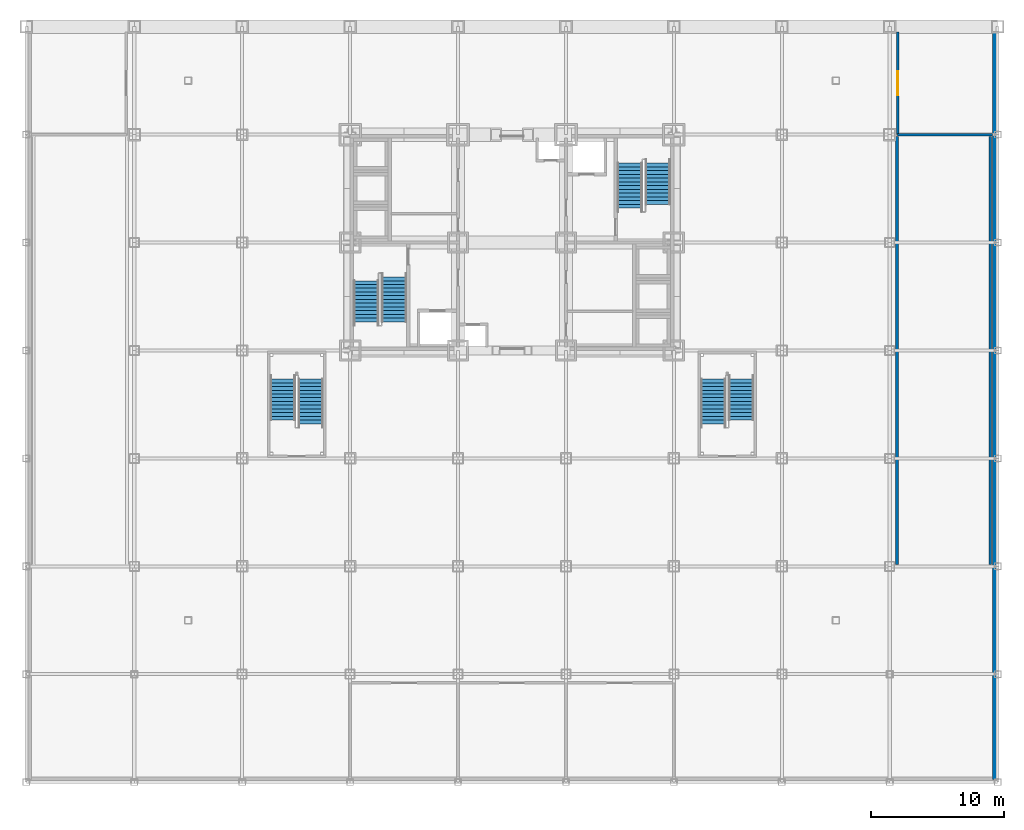
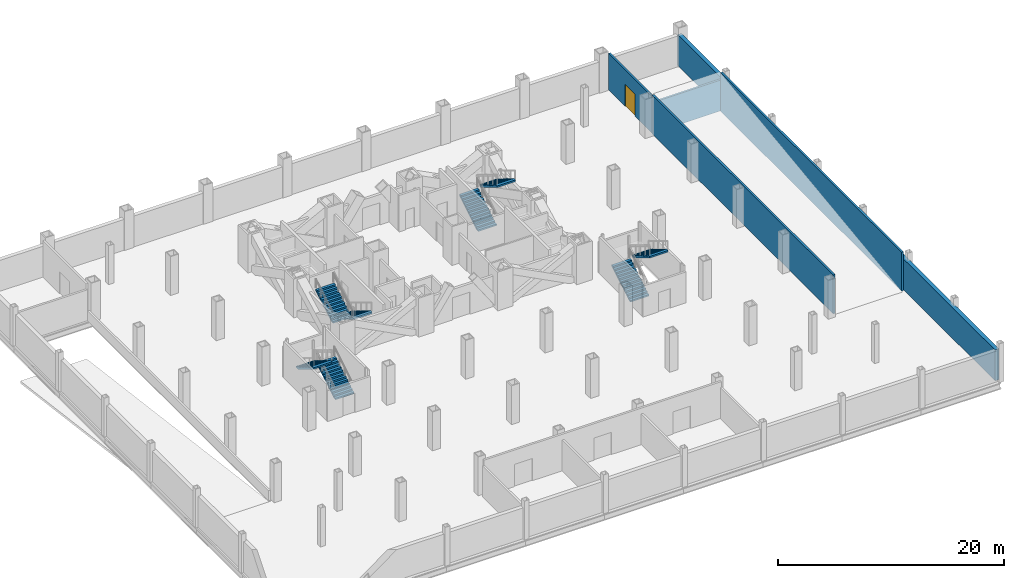
# One storey, part 13 of 14: 8 stair flights, 5 walls, 1 door, 1 opening, 4 elements without a shape of their own.
"""IFC4 building model written with IfcOpenShell, lengths in metres."""

from ifc_helpers import new_model, si_unit, direction, frame, frame_2d, origin, place, context, subcontext, project, spatial, rectangle, extrude, polygons, source, transform, mapped, material, layer, layer_set, type_object, element, fill, aggregate, save


model = new_model("IFC4")

# Units and contexts
model_context = context("Model", 3, precision=1e-05, world=origin(), true_north=direction((0.0, 1.0)))
body_context = subcontext(model_context, "Body", "Model", "MODEL_VIEW")
ifc_project = project(units=[si_unit("LENGTHUNIT", "METRE"), si_unit("AREAUNIT", "SQUARE_METRE"), si_unit("VOLUMEUNIT", "CUBIC_METRE"), si_unit("PLANEANGLEUNIT", "RADIAN"), si_unit("MASSUNIT", "GRAM", prefix="KILO")], contexts=[model_context])

# Site, building, storey
site_placement = place(None, origin())
site = spatial("IfcSite", under=ifc_project, at=site_placement, CompositionType="ELEMENT")
building_placement = place(site_placement, origin())
building = spatial("IfcBuilding", under=site, at=building_placement, Name="Kopane Lantern Tower", CompositionType="ELEMENT")
storey_placement = place(building_placement, frame((0.0, 0.0, -4.199951171875)))
storey = spatial("IfcBuildingStorey", under=building, at=storey_placement, Name="L-01", CompositionType="ELEMENT", Elevation=-4.199951171875)

# Walls
ifc_material_1 = material(Name="Concrete C40/50", Category="concrete")
ifc_layer_1 = layer(ifc_material_1, 0.39990234375)
ifc_layer_set_1 = layer_set([ifc_layer_1], Name="BASEMENT RETAINING WALL 400")
wall_type_1 = type_object("IfcWallType", Name="BASEMENT RETAINING WALL 400", PredefinedType="SOLIDWALL", material=ifc_layer_set_1)
wall_1_placement = place(storey_placement, frame((64.60009765625, -7.89990234375, 0.0), z_axis=(0.0, 0.0, 1.0), x_axis=(0.0, 1.0, 0.0)))
element("IfcWall", 1, at=wall_1_placement, inside=storey, type_object=wall_type_1, Name="Basement Retaining Wall 400 L-01", PredefinedType="SOLIDWALL", context=body_context, shape_type="SweptSolid", body=[
    extrude(rectangle(XDim=56.2998046875, YDim=0.39990234375, at=frame_2d((28.14990234375, 0.0))), origin(), (0.0, 0.0, 1.0), 3.337646484375),
])
ifc_material_2 = material(Name="Concrete masonry", Category="masonry")
ifc_layer_2 = layer(ifc_material_2, 0.199951171875)
ifc_layer_set_2 = layer_set([ifc_layer_2], Name="PLANT ROOM WALL 200 EI 120")
wall_type_2 = type_object("IfcWallType", Name="PLANT ROOM WALL 200 EI 120", PredefinedType="SOLIDWALL", material=ifc_layer_set_2)
wall_2_placement = place(storey_placement, frame((57.300048828125, 40.5, 0.0), z_axis=(0.0, 0.0, 1.0), x_axis=(1.0, 0.0, 0.0)))
element("IfcWall", 2, at=wall_2_placement, inside=storey, type_object=wall_type_2, Name="Plant Room Wall 200 Ei 120 L-01", PredefinedType="SOLIDWALL", context=body_context, shape_type="SweptSolid", body=[
    extrude(rectangle(XDim=7.099853515625, YDim=0.199951171875, at=frame_2d((3.5498046875, 0.0))), origin(), (0.0, 0.0, 1.0), 3.337646484375),
])

# Wall, opening, door
wall_3_placement = place(storey_placement, frame((57.300048828125, 40.5, 0.0), z_axis=(0.0, 0.0, 1.0), x_axis=(0.0, 1.0, 0.0)))
wall_3 = element("IfcWall", 3, at=wall_3_placement, inside=storey, type_object=wall_type_2, Name="Plant Room Wall 200 Ei 120 L-01", PredefinedType="SOLIDWALL", context=body_context, shape_type="SweptSolid", body=[
    extrude(rectangle(XDim=7.699951171875, YDim=0.199951171875, at=frame_2d((3.85009765625, 0.0))), origin(), (0.0, 0.0, 1.0), 3.949951171875),
])
opening_placement = place(wall_3_placement, frame((2.949951171875, 0.0, 0.0)))
opening = element("IfcOpeningElement", 4, at=opening_placement, cuts=wall_3, Name="Opening L-01-005", PredefinedType="OPENING", context=body_context, shape_type="SweptSolid", body=[
    extrude(rectangle(XDim=1.800048828125, YDim=2.39990234375, at=frame_2d((0.89990234375, 1.199951171875))), frame((0.0, 0.10986328125, 0.0), z_axis=(0.0, -1.0, 0.0), x_axis=(1.0, 0.0, 0.0)), (0.0, 0.0, 1.0), 0.219970703125),
])
ifc_material_3 = material(Name="Steel door set", Category="steel")
door_type = type_object("IfcDoorType", Name="DOOR D8 1800x2400 FD120", OperationType="SINGLE_SWING_LEFT", PredefinedType="DOOR", material=ifc_material_3)
door_placement = place(opening_placement, origin())
door = element("IfcDoor", 5, at=door_placement, inside=storey, type_object=door_type, Name="Door L-01-005", OperationType="DOUBLE_DOOR_SINGLE_SWING", OverallHeight=2.39990234375, OverallWidth=1.800048828125, PredefinedType="DOOR", context=body_context, shape_type="SweptSolid", body=[
    extrude(rectangle(XDim=1.800048828125, YDim=2.39990234375, at=frame_2d((0.89990234375, 1.199951171875))), frame((0.0, 0.02490234375, 0.0), z_axis=(0.0, -1.0, 0.0), x_axis=(1.0, 0.0, 0.0)), (0.0, 0.0, 1.0), 0.050048828125),
])
fill(opening, door)

# Walls
ifc_material_4 = material(Name="Concrete C40/50", Category="concrete")
ifc_layer_3 = layer(ifc_material_4, 0.199951171875)
ifc_layer_set_3 = layer_set([ifc_layer_3], Name="Concrete C40/50")
wall_type_3 = type_object("IfcWallType", Name="RAMP SIDE WALL 200", PredefinedType="PARTITIONING", material=ifc_layer_set_3)
for number, where, z_axis, x_axis, name in (
    (6, (64.25, 8.25, 0.0), (0.0, 0.0, 1.0), (0.0, 1.0, 0.0), "Ramp side wall L00 L-01"),
    (7, (57.25, 8.25, 0.0), (0.0, 0.0, 1.0), (0.0, 1.0, 0.0), "Ramp side wall L00 L-01"),
):
    element("IfcWall", number, at=place(storey_placement, frame(where, z_axis=z_axis, x_axis=x_axis)), inside=storey, type_object=wall_type_3, Name=name, PredefinedType="PARTITIONING", context=body_context, shape_type="SweptSolid", body=[
        extrude(rectangle(XDim=32.10009765625, YDim=0.199951171875, at=frame_2d((16.050048828125, 0.0))), origin(), (0.0, 0.0, 1.0), 4.199951171875),
    ])

# Stair, stair flight
ifc_material_5 = material(Name="Steel S355JR", Category="steel")
stair_type = type_object("IfcStairType", Name="EXIT STAIR 1900 HALF TURN", PredefinedType="HALF_TURN_STAIR", material=ifc_material_5)
stair_1_placement = place(storey_placement, origin())
stair_1 = element("IfcStair", 8, at=stair_1_placement, inside=storey, type_object=stair_type, Name="Exit stair ST1 L-01", PredefinedType="HALF_TURN_STAIR")
ifc_material_6 = material(Name="Steel S355JR", Category="steel")
stair_flight_type = type_object("IfcStairFlightType", Name="STAIR FLIGHT 1900 STEEL", PredefinedType="STRAIGHT", material=ifc_material_6)
shared_shape_1 = source(origin(), body_context, "Body", "Tessellation", [
    polygons([(3.360107422, 0.949951172, 2.016113281), (3.080078125, 0.949951172, 2.016113281), (3.080078125, -0.949951172, 2.016113281), (3.360107422, -0.949951172, 2.016113281), (0.291259766, 0.949951172, 0.0), (3.360107422, 0.949951172, 1.841064453), (3.360107422, -0.949951172, 1.841064453), (0.291259766, -0.949951172, 0.0), (0.0, 0.949951172, 0.0), (0.0, -0.949951172, 0.0), (0.280029297, 0.949951172, 0.16796875), (0.0, 0.949951172, 0.16796875), (0.0, -0.949951172, 0.16796875), (0.280029297, -0.949951172, 0.16796875), (0.280029297, 0.949951172, 0.3359375), (0.280029297, -0.949951172, 0.3359375), (0.560058594, 0.949951172, 0.3359375), (0.560058594, -0.949951172, 0.3359375), (0.560058594, 0.949951172, 0.50390625), (0.560058594, -0.949951172, 0.50390625), (0.840087891, 0.949951172, 0.50390625), (0.840087891, -0.949951172, 0.50390625), (0.840087891, 0.949951172, 0.672119141), (0.840087891, -0.949951172, 0.672119141), (1.120117188, 0.949951172, 0.672119141), (1.120117188, -0.949951172, 0.672119141), (1.120117188, 0.949951172, 0.840087891), (1.120117188, -0.949951172, 0.840087891), (1.399902344, 0.949951172, 0.840087891), (1.399902344, -0.949951172, 0.840087891), (1.399902344, 0.949951172, 1.008056641), (1.399902344, -0.949951172, 1.008056641), (1.679931641, 0.949951172, 1.008056641), (1.679931641, -0.949951172, 1.008056641), (1.679931641, 0.949951172, 1.176025391), (1.679931641, -0.949951172, 1.176025391), (1.959960938, 0.949951172, 1.176025391), (1.959960938, -0.949951172, 1.176025391), (1.959960938, 0.949951172, 1.343994141), (1.959960938, -0.949951172, 1.343994141), (2.239990234, 0.949951172, 1.343994141), (2.239990234, -0.949951172, 1.343994141), (2.239990234, 0.949951172, 1.511962891), (2.239990234, -0.949951172, 1.511962891), (2.520019531, 0.949951172, 1.511962891), (2.520019531, -0.949951172, 1.511962891), (2.520019531, 0.949951172, 1.679931641), (2.520019531, -0.949951172, 1.679931641), (2.800048828, 0.949951172, 1.679931641), (2.800048828, -0.949951172, 1.679931641), (2.800048828, 0.949951172, 1.847900391), (2.800048828, -0.949951172, 1.847900391), (3.080078125, 0.949951172, 1.847900391), (3.080078125, -0.949951172, 1.847900391), (0.0, 0.0, 0.004539696), (0.0, 0.0, 0.009079392), (0.0, 0.0, 0.013619088), (0.0, 0.0, 0.018158784), (0.0, 0.0, 0.02269848), (0.0, 0.0, 0.027238176), (0.0, 0.0, 0.031777872), (0.0, 0.0, 0.036317568), (0.0, 0.0, 0.040857264), (0.0, 0.0, 0.045396959), (0.0, 0.0, 0.049936655), (0.0, 0.0, 0.054476351), (0.0, 0.0, 0.059016047), (0.0, 0.0, 0.063555743), (0.0, 0.0, 0.068095439), (0.0, 0.0, 0.072635135), (0.0, 0.0, 0.077174831), (0.0, 0.0, 0.081714527), (0.0, 0.0, 0.086254223), (0.0, 0.0, 0.090793919), (0.0, 0.0, 0.095333615), (0.0, 0.0, 0.099873311), (0.0, 0.0, 0.104413007), (0.0, 0.0, 0.108952703), (0.0, 0.0, 0.113492399), (0.0, 0.0, 0.118032095), (0.0, 0.0, 0.122571791), (0.0, 0.0, 0.127111486), (0.0, 0.0, 0.131651182), (0.0, 0.0, 0.136190878), (0.0, 0.0, 0.140730574), (0.0, 0.0, 0.14527027), (0.0, 0.0, 0.149809966), (0.0, 0.0, 0.154349662), (0.0, 0.0, 0.158889358), (0.0, 0.0, 0.163429054), (3.360107422, 0.0, 1.845795503), (3.360107422, 0.0, 1.850526552), (3.360107422, 0.0, 1.855257601), (3.360107422, 0.0, 1.859988651), (3.360107422, 0.0, 1.8647197), (3.360107422, 0.0, 1.86945075), (3.360107422, 0.0, 1.874181799), (3.360107422, 0.0, 1.878912848), (3.360107422, 0.0, 1.883643898), (3.360107422, 0.0, 1.888374947), (3.360107422, 0.0, 1.893105997), (3.360107422, 0.0, 1.897837046), (3.360107422, 0.0, 1.902568095), (3.360107422, 0.0, 1.907299145), (3.360107422, 0.0, 1.912030194), (3.360107422, 0.0, 1.916761244), (3.360107422, 0.0, 1.921492293), (3.360107422, 0.0, 1.926223342), (3.360107422, 0.0, 1.930954392), (3.360107422, 0.0, 1.935685441), (3.360107422, 0.0, 1.940416491), (3.360107422, 0.0, 1.94514754), (3.360107422, 0.0, 1.94987859), (3.360107422, 0.0, 1.954609639), (3.360107422, 0.0, 1.959340688), (3.360107422, 0.0, 1.964071738), (3.360107422, 0.0, 1.968802787), (3.360107422, 0.0, 1.973533837), (3.360107422, 0.0, 1.978264886), (3.360107422, 0.0, 1.982995935), (3.360107422, 0.0, 1.987726985), (3.360107422, 0.0, 1.992458034), (3.360107422, 0.0, 1.997189084), (3.360107422, 0.0, 2.001920133), (3.360107422, 0.0, 2.006651182), (3.360107422, 0.0, 2.011382232)], [[[1, 2, 3]], [[1, 3, 4]], [[5, 6, 7]], [[5, 7, 8]], [[9, 5, 8]], [[9, 8, 10]], [[11, 12, 13]], [[11, 13, 14]], [[15, 11, 14]], [[15, 14, 16]], [[17, 15, 16]], [[17, 16, 18]], [[19, 17, 18]], [[19, 18, 20]], [[21, 19, 20]], [[21, 20, 22]], [[23, 21, 22]], [[23, 22, 24]], [[25, 23, 24]], [[25, 24, 26]], [[27, 25, 26]], [[27, 26, 28]], [[29, 27, 28]], [[29, 28, 30]], [[31, 29, 30]], [[31, 30, 32]], [[33, 31, 32]], [[33, 32, 34]], [[35, 33, 34]], [[35, 34, 36]], [[37, 35, 36]], [[37, 36, 38]], [[39, 37, 38]], [[39, 38, 40]], [[41, 39, 40]], [[41, 40, 42]], [[43, 41, 42]], [[43, 42, 44]], [[45, 43, 44]], [[45, 44, 46]], [[47, 45, 46]], [[47, 46, 48]], [[49, 47, 48]], [[49, 48, 50]], [[51, 49, 50]], [[51, 50, 52]], [[53, 51, 52]], [[53, 52, 54]], [[2, 53, 54]], [[2, 54, 3]], [[53, 1, 6]], [[49, 53, 6]], [[2, 1, 53]], [[45, 49, 6]], [[51, 53, 49]], [[41, 45, 6]], [[47, 49, 45]], [[43, 45, 41]], [[39, 41, 37]], [[35, 37, 33]], [[31, 33, 29]], [[5, 25, 29]], [[5, 21, 25]], [[27, 29, 25]], [[17, 21, 5]], [[23, 25, 21]], [[11, 17, 5]], [[19, 21, 17]], [[9, 11, 5]], [[15, 17, 11]], [[12, 11, 9]], [[6, 5, 41]], [[41, 5, 37]], [[37, 5, 33]], [[33, 5, 29]], [[7, 4, 54]], [[7, 54, 50]], [[54, 4, 3]], [[7, 50, 46]], [[50, 54, 52]], [[7, 46, 42]], [[46, 50, 48]], [[42, 46, 44]], [[38, 42, 40]], [[34, 38, 36]], [[30, 34, 32]], [[30, 26, 8]], [[26, 22, 8]], [[26, 30, 28]], [[8, 22, 18]], [[22, 26, 24]], [[8, 18, 14]], [[18, 22, 20]], [[8, 14, 10]], [[14, 18, 16]], [[10, 14, 13]], [[42, 8, 7]], [[38, 8, 42]], [[34, 8, 38]], [[30, 8, 34]], [[10, 55, 9]], [[10, 56, 55]], [[9, 55, 56]], [[10, 57, 56]], [[9, 56, 57]], [[10, 58, 57]], [[9, 57, 58]], [[10, 59, 58]], [[9, 58, 59]], [[10, 60, 59]], [[9, 59, 60]], [[10, 61, 60]], [[9, 60, 61]], [[10, 62, 61]], [[9, 61, 62]], [[10, 63, 62]], [[9, 62, 63]], [[10, 64, 63]], [[9, 63, 64]], [[10, 65, 64]], [[9, 64, 65]], [[10, 66, 65]], [[9, 65, 66]], [[10, 67, 66]], [[9, 66, 67]], [[10, 68, 67]], [[9, 67, 68]], [[10, 69, 68]], [[9, 68, 69]], [[10, 70, 69]], [[9, 69, 70]], [[10, 71, 70]], [[9, 70, 71]], [[10, 72, 71]], [[9, 71, 72]], [[10, 73, 72]], [[9, 72, 73]], [[10, 74, 73]], [[9, 73, 74]], [[10, 75, 74]], [[9, 74, 75]], [[10, 76, 75]], [[9, 75, 76]], [[10, 77, 76]], [[9, 76, 77]], [[10, 78, 77]], [[9, 77, 78]], [[10, 79, 78]], [[9, 78, 79]], [[10, 80, 79]], [[9, 79, 80]], [[10, 81, 80]], [[9, 80, 81]], [[10, 82, 81]], [[9, 81, 82]], [[10, 83, 82]], [[9, 82, 83]], [[10, 84, 83]], [[9, 83, 84]], [[10, 85, 84]], [[9, 84, 85]], [[10, 86, 85]], [[9, 85, 86]], [[10, 87, 86]], [[9, 86, 87]], [[10, 88, 87]], [[9, 87, 88]], [[10, 89, 88]], [[9, 88, 89]], [[10, 90, 89]], [[9, 89, 90]], [[10, 13, 90]], [[90, 13, 12]], [[9, 90, 12]], [[7, 6, 91]], [[7, 91, 92]], [[6, 92, 91]], [[7, 92, 93]], [[6, 93, 92]], [[7, 93, 94]], [[6, 94, 93]], [[7, 94, 95]], [[6, 95, 94]], [[7, 95, 96]], [[6, 96, 95]], [[7, 96, 97]], [[6, 97, 96]], [[7, 97, 98]], [[6, 98, 97]], [[7, 98, 99]], [[6, 99, 98]], [[7, 99, 100]], [[6, 100, 99]], [[7, 100, 101]], [[6, 101, 100]], [[7, 101, 102]], [[6, 102, 101]], [[7, 102, 103]], [[6, 103, 102]], [[7, 103, 104]], [[6, 104, 103]], [[7, 104, 105]], [[6, 105, 104]], [[7, 105, 106]], [[6, 106, 105]], [[7, 106, 107]], [[6, 107, 106]], [[7, 107, 108]], [[6, 108, 107]], [[7, 108, 109]], [[6, 109, 108]], [[7, 109, 110]], [[6, 110, 109]], [[7, 110, 111]], [[6, 111, 110]], [[7, 111, 112]], [[6, 112, 111]], [[7, 112, 113]], [[6, 113, 112]], [[7, 113, 114]], [[6, 114, 113]], [[7, 114, 115]], [[6, 115, 114]], [[7, 115, 116]], [[6, 116, 115]], [[7, 116, 117]], [[6, 117, 116]], [[7, 117, 118]], [[6, 118, 117]], [[7, 118, 119]], [[6, 119, 118]], [[7, 119, 120]], [[6, 120, 119]], [[7, 120, 121]], [[6, 121, 120]], [[7, 121, 122]], [[6, 122, 121]], [[7, 122, 123]], [[6, 123, 122]], [[7, 123, 124]], [[6, 124, 123]], [[7, 124, 125]], [[6, 125, 124]], [[7, 125, 126]], [[6, 126, 125]], [[7, 126, 4]], [[126, 1, 4]], [[6, 1, 126]]], closed=True),
])
stair_flight_1_placement = place(storey_placement, frame((19.5, 29.81005859375, 0.0), z_axis=(0.0, 0.0, 1.0), x_axis=(0.0, -1.0, 0.0)))
stair_flight_1 = element("IfcStairFlight", 9, at=stair_flight_1_placement, type_object=stair_flight_type, Name="ST1 flight 1", NumberOfRisers=13, NumberOfTreads=12, PredefinedType="STRAIGHT", RiserHeight=0.168, TreadLength=0.28, context=body_context, shape_type="MappedRepresentation", body=[
    mapped(shared_shape_1, transform((0.0, 0.0, 0.0))),
])

stair_2_placement = place(storey_placement, origin())
stair_2 = element("IfcStair", 10, at=stair_2_placement, inside=storey, type_object=stair_type, Name="Exit stair ST2 L-01", PredefinedType="HALF_TURN_STAIR")
stair_flight_2_placement = place(storey_placement, frame((37.199951171875, 34.989990234375, 0.0), z_axis=(0.0, 0.0, 1.0), x_axis=(0.0, 1.0, 0.0)))
stair_flight_2 = element("IfcStairFlight", 11, at=stair_flight_2_placement, type_object=stair_flight_type, Name="ST2 flight 1", NumberOfRisers=13, NumberOfTreads=12, PredefinedType="STRAIGHT", RiserHeight=0.168, TreadLength=0.28, context=body_context, shape_type="MappedRepresentation", body=[
    mapped(shared_shape_1, transform((0.0, 0.0, 0.0))),
])

stair_3_placement = place(storey_placement, origin())
stair_3 = element("IfcStair", 12, at=stair_3_placement, inside=storey, type_object=stair_type, Name="Exit stair ST3 L-01", PredefinedType="HALF_TURN_STAIR")
stair_flight_3_placement = place(storey_placement, frame((13.25, 18.7900390625, 0.0), z_axis=(0.0, 0.0, 1.0), x_axis=(0.0, 1.0, 0.0)))
stair_flight_3 = element("IfcStairFlight", 13, at=stair_flight_3_placement, type_object=stair_flight_type, Name="ST3 flight 1", NumberOfRisers=13, NumberOfTreads=12, PredefinedType="STRAIGHT", RiserHeight=0.168, TreadLength=0.28, context=body_context, shape_type="MappedRepresentation", body=[
    mapped(shared_shape_1, transform((0.0, 0.0, 0.0))),
])

stair_4_placement = place(storey_placement, origin())
stair_4 = element("IfcStair", 14, at=stair_4_placement, inside=storey, type_object=stair_type, Name="Exit stair ST4 L-01", PredefinedType="HALF_TURN_STAIR")
stair_flight_4_placement = place(storey_placement, frame((43.449951171875, 18.7900390625, 0.0), z_axis=(0.0, 0.0, 1.0), x_axis=(0.0, 1.0, 0.0)))
stair_flight_4 = element("IfcStairFlight", 15, at=stair_flight_4_placement, type_object=stair_flight_type, Name="ST4 flight 1", NumberOfRisers=13, NumberOfTreads=12, PredefinedType="STRAIGHT", RiserHeight=0.168, TreadLength=0.28, context=body_context, shape_type="MappedRepresentation", body=[
    mapped(shared_shape_1, transform((0.0, 0.0, 0.0))),
])

# Stair flight
shared_shape_2 = source(origin(), body_context, "Body", "Tessellation", [
    polygons([(3.080078125, 0.949951172, 1.847900391), (2.800048828, 0.949951172, 1.847900391), (2.800048828, -0.949951172, 1.847900391), (3.080078125, -0.949951172, 1.847900391), (0.291259766, 0.949951172, 0.0), (3.080078125, 0.949951172, 1.673095703), (3.080078125, -0.949951172, 1.673095703), (0.291259766, -0.949951172, 0.0), (0.0, 0.949951172, 0.0), (0.0, -0.949951172, 0.0), (0.280029297, 0.949951172, 0.16796875), (0.0, 0.949951172, 0.16796875), (0.0, -0.949951172, 0.16796875), (0.280029297, -0.949951172, 0.16796875), (0.280029297, 0.949951172, 0.3359375), (0.280029297, -0.949951172, 0.3359375), (0.560058594, 0.949951172, 0.3359375), (0.560058594, -0.949951172, 0.3359375), (0.560058594, 0.949951172, 0.50390625), (0.560058594, -0.949951172, 0.50390625), (0.840087891, 0.949951172, 0.50390625), (0.840087891, -0.949951172, 0.50390625), (0.840087891, 0.949951172, 0.672119141), (0.840087891, -0.949951172, 0.672119141), (1.120117188, 0.949951172, 0.672119141), (1.120117188, -0.949951172, 0.672119141), (1.120117188, 0.949951172, 0.840087891), (1.120117188, -0.949951172, 0.840087891), (1.399902344, 0.949951172, 0.840087891), (1.399902344, -0.949951172, 0.840087891), (1.399902344, 0.949951172, 1.008056641), (1.399902344, -0.949951172, 1.008056641), (1.679931641, 0.949951172, 1.008056641), (1.679931641, -0.949951172, 1.008056641), (1.679931641, 0.949951172, 1.176025391), (1.679931641, -0.949951172, 1.176025391), (1.959960938, 0.949951172, 1.176025391), (1.959960938, -0.949951172, 1.176025391), (1.959960938, 0.949951172, 1.343994141), (1.959960938, -0.949951172, 1.343994141), (2.239990234, 0.949951172, 1.343994141), (2.239990234, -0.949951172, 1.343994141), (2.239990234, 0.949951172, 1.511962891), (2.239990234, -0.949951172, 1.511962891), (2.520019531, 0.949951172, 1.511962891), (2.520019531, -0.949951172, 1.511962891), (2.520019531, 0.949951172, 1.679931641), (2.520019531, -0.949951172, 1.679931641), (2.800048828, 0.949951172, 1.679931641), (2.800048828, -0.949951172, 1.679931641), (0.0, 0.0, 0.004539696), (0.0, 0.0, 0.009079392), (0.0, 0.0, 0.013619088), (0.0, 0.0, 0.018158784), (0.0, 0.0, 0.02269848), (0.0, 0.0, 0.027238176), (0.0, 0.0, 0.031777872), (0.0, 0.0, 0.036317568), (0.0, 0.0, 0.040857264), (0.0, 0.0, 0.045396959), (0.0, 0.0, 0.049936655), (0.0, 0.0, 0.054476351), (0.0, 0.0, 0.059016047), (0.0, 0.0, 0.063555743), (0.0, 0.0, 0.068095439), (0.0, 0.0, 0.072635135), (0.0, 0.0, 0.077174831), (0.0, 0.0, 0.081714527), (0.0, 0.0, 0.086254223), (0.0, 0.0, 0.090793919), (0.0, 0.0, 0.095333615), (0.0, 0.0, 0.099873311), (0.0, 0.0, 0.104413007), (0.0, 0.0, 0.108952703), (0.0, 0.0, 0.113492399), (0.0, 0.0, 0.118032095), (0.0, 0.0, 0.122571791), (0.0, 0.0, 0.127111486), (0.0, 0.0, 0.131651182), (0.0, 0.0, 0.136190878), (0.0, 0.0, 0.140730574), (0.0, 0.0, 0.14527027), (0.0, 0.0, 0.149809966), (0.0, 0.0, 0.154349662), (0.0, 0.0, 0.158889358), (0.0, 0.0, 0.163429054), (3.080078125, 0.0, 1.677820154), (3.080078125, 0.0, 1.682544605), (3.080078125, 0.0, 1.687269056), (3.080078125, 0.0, 1.691993507), (3.080078125, 0.0, 1.696717958), (3.080078125, 0.0, 1.701442409), (3.080078125, 0.0, 1.70616686), (3.080078125, 0.0, 1.710891311), (3.080078125, 0.0, 1.715615762), (3.080078125, 0.0, 1.720340213), (3.080078125, 0.0, 1.725064664), (3.080078125, 0.0, 1.729789115), (3.080078125, 0.0, 1.734513566), (3.080078125, 0.0, 1.739238017), (3.080078125, 0.0, 1.743962468), (3.080078125, 0.0, 1.748686919), (3.080078125, 0.0, 1.75341137), (3.080078125, 0.0, 1.758135821), (3.080078125, 0.0, 1.762860272), (3.080078125, 0.0, 1.767584723), (3.080078125, 0.0, 1.772309174), (3.080078125, 0.0, 1.777033625), (3.080078125, 0.0, 1.781758076), (3.080078125, 0.0, 1.786482527), (3.080078125, 0.0, 1.791206978), (3.080078125, 0.0, 1.795931429), (3.080078125, 0.0, 1.80065588), (3.080078125, 0.0, 1.805380332), (3.080078125, 0.0, 1.810104783), (3.080078125, 0.0, 1.814829234), (3.080078125, 0.0, 1.819553685), (3.080078125, 0.0, 1.824278136), (3.080078125, 0.0, 1.829002587), (3.080078125, 0.0, 1.833727038), (3.080078125, 0.0, 1.838451489), (3.080078125, 0.0, 1.84317594)], [[[1, 2, 3]], [[1, 3, 4]], [[5, 6, 7]], [[5, 7, 8]], [[9, 5, 8]], [[9, 8, 10]], [[11, 12, 13]], [[11, 13, 14]], [[15, 11, 14]], [[15, 14, 16]], [[17, 15, 16]], [[17, 16, 18]], [[19, 17, 18]], [[19, 18, 20]], [[21, 19, 20]], [[21, 20, 22]], [[23, 21, 22]], [[23, 22, 24]], [[25, 23, 24]], [[25, 24, 26]], [[27, 25, 26]], [[27, 26, 28]], [[29, 27, 28]], [[29, 28, 30]], [[31, 29, 30]], [[31, 30, 32]], [[33, 31, 32]], [[33, 32, 34]], [[35, 33, 34]], [[35, 34, 36]], [[37, 35, 36]], [[37, 36, 38]], [[39, 37, 38]], [[39, 38, 40]], [[41, 39, 40]], [[41, 40, 42]], [[43, 41, 42]], [[43, 42, 44]], [[45, 43, 44]], [[45, 44, 46]], [[47, 45, 46]], [[47, 46, 48]], [[49, 47, 48]], [[49, 48, 50]], [[2, 49, 50]], [[2, 50, 3]], [[49, 1, 6]], [[45, 49, 6]], [[2, 1, 49]], [[41, 45, 6]], [[47, 49, 45]], [[37, 41, 6]], [[43, 45, 41]], [[39, 41, 37]], [[35, 37, 33]], [[31, 33, 29]], [[5, 21, 25]], [[27, 29, 25]], [[17, 21, 5]], [[23, 25, 21]], [[11, 17, 5]], [[19, 21, 17]], [[9, 11, 5]], [[15, 17, 11]], [[12, 11, 9]], [[6, 5, 25]], [[6, 25, 29]], [[6, 29, 33]], [[6, 33, 37]], [[7, 4, 50]], [[7, 50, 46]], [[50, 4, 3]], [[7, 46, 42]], [[46, 50, 48]], [[7, 42, 38]], [[42, 46, 44]], [[38, 42, 40]], [[34, 38, 36]], [[30, 34, 32]], [[26, 22, 8]], [[26, 30, 28]], [[8, 22, 18]], [[22, 26, 24]], [[8, 18, 14]], [[18, 22, 20]], [[8, 14, 10]], [[14, 18, 16]], [[10, 14, 13]], [[26, 8, 7]], [[30, 26, 7]], [[34, 30, 7]], [[38, 34, 7]], [[10, 51, 9]], [[10, 52, 51]], [[9, 51, 52]], [[10, 53, 52]], [[9, 52, 53]], [[10, 54, 53]], [[9, 53, 54]], [[10, 55, 54]], [[9, 54, 55]], [[10, 56, 55]], [[9, 55, 56]], [[10, 57, 56]], [[9, 56, 57]], [[10, 58, 57]], [[9, 57, 58]], [[10, 59, 58]], [[9, 58, 59]], [[10, 60, 59]], [[9, 59, 60]], [[10, 61, 60]], [[9, 60, 61]], [[10, 62, 61]], [[9, 61, 62]], [[10, 63, 62]], [[9, 62, 63]], [[10, 64, 63]], [[9, 63, 64]], [[10, 65, 64]], [[9, 64, 65]], [[10, 66, 65]], [[9, 65, 66]], [[10, 67, 66]], [[9, 66, 67]], [[10, 68, 67]], [[9, 67, 68]], [[10, 69, 68]], [[9, 68, 69]], [[10, 70, 69]], [[9, 69, 70]], [[10, 71, 70]], [[9, 70, 71]], [[10, 72, 71]], [[9, 71, 72]], [[10, 73, 72]], [[9, 72, 73]], [[10, 74, 73]], [[9, 73, 74]], [[10, 75, 74]], [[9, 74, 75]], [[10, 76, 75]], [[9, 75, 76]], [[10, 77, 76]], [[9, 76, 77]], [[10, 78, 77]], [[9, 77, 78]], [[10, 79, 78]], [[9, 78, 79]], [[10, 80, 79]], [[9, 79, 80]], [[10, 81, 80]], [[9, 80, 81]], [[10, 82, 81]], [[9, 81, 82]], [[10, 83, 82]], [[9, 82, 83]], [[10, 84, 83]], [[9, 83, 84]], [[10, 85, 84]], [[9, 84, 85]], [[10, 86, 85]], [[9, 85, 86]], [[10, 13, 86]], [[86, 13, 12]], [[9, 86, 12]], [[7, 6, 87]], [[7, 87, 88]], [[6, 88, 87]], [[7, 88, 89]], [[6, 89, 88]], [[7, 89, 90]], [[6, 90, 89]], [[7, 90, 91]], [[6, 91, 90]], [[7, 91, 92]], [[6, 92, 91]], [[7, 92, 93]], [[6, 93, 92]], [[7, 93, 94]], [[6, 94, 93]], [[7, 94, 95]], [[6, 95, 94]], [[7, 95, 96]], [[6, 96, 95]], [[7, 96, 97]], [[6, 97, 96]], [[7, 97, 98]], [[6, 98, 97]], [[7, 98, 99]], [[6, 99, 98]], [[7, 99, 100]], [[6, 100, 99]], [[7, 100, 101]], [[6, 101, 100]], [[7, 101, 102]], [[6, 102, 101]], [[7, 102, 103]], [[6, 103, 102]], [[7, 103, 104]], [[6, 104, 103]], [[7, 104, 105]], [[6, 105, 104]], [[7, 105, 106]], [[6, 106, 105]], [[7, 106, 107]], [[6, 107, 106]], [[7, 107, 108]], [[6, 108, 107]], [[7, 108, 109]], [[6, 109, 108]], [[7, 109, 110]], [[6, 110, 109]], [[7, 110, 111]], [[6, 111, 110]], [[7, 111, 112]], [[6, 112, 111]], [[7, 112, 113]], [[6, 113, 112]], [[7, 113, 114]], [[6, 114, 113]], [[7, 114, 115]], [[6, 115, 114]], [[7, 115, 116]], [[6, 116, 115]], [[7, 116, 117]], [[6, 117, 116]], [[7, 117, 118]], [[6, 118, 117]], [[7, 118, 119]], [[6, 119, 118]], [[7, 119, 120]], [[6, 120, 119]], [[7, 120, 121]], [[6, 121, 120]], [[7, 121, 122]], [[6, 122, 121]], [[7, 122, 4]], [[122, 1, 4]], [[6, 1, 122]]], closed=True),
])
stair_flight_5_placement = place(storey_placement, frame((17.39990234375, 26.449951171875, 2.183837890625), z_axis=(0.0, 0.0, 1.0), x_axis=(0.0, 1.0, 0.0)))
stair_flight_5 = element("IfcStairFlight", 16, at=stair_flight_5_placement, type_object=stair_flight_type, Name="ST1 flight 2", NumberOfRisers=12, NumberOfTreads=11, PredefinedType="STRAIGHT", RiserHeight=0.168, TreadLength=0.28, context=body_context, shape_type="MappedRepresentation", body=[
    mapped(shared_shape_2, transform((0.0, 0.0, 0.0))),
])

aggregate(stair_1, [stair_flight_1, stair_flight_5])

stair_flight_6_placement = place(storey_placement, frame((39.300048828125, 38.35009765625, 2.183837890625), z_axis=(0.0, 0.0, 1.0), x_axis=(0.0, -1.0, 0.0)))
stair_flight_6 = element("IfcStairFlight", 17, at=stair_flight_6_placement, type_object=stair_flight_type, Name="ST2 flight 2", NumberOfRisers=12, NumberOfTreads=11, PredefinedType="STRAIGHT", RiserHeight=0.168, TreadLength=0.28, context=body_context, shape_type="MappedRepresentation", body=[
    mapped(shared_shape_2, transform((0.0, 0.0, 0.0))),
])

aggregate(stair_2, [stair_flight_2, stair_flight_6])

stair_flight_7_placement = place(storey_placement, frame((11.14990234375, 22.14990234375, 2.183837890625), z_axis=(0.0, 0.0, 1.0), x_axis=(0.0, -1.0, 0.0)))
stair_flight_7 = element("IfcStairFlight", 18, at=stair_flight_7_placement, type_object=stair_flight_type, Name="ST3 flight 2", NumberOfRisers=12, NumberOfTreads=11, PredefinedType="STRAIGHT", RiserHeight=0.168, TreadLength=0.28, context=body_context, shape_type="MappedRepresentation", body=[
    mapped(shared_shape_2, transform((0.0, 0.0, 0.0))),
])

aggregate(stair_3, [stair_flight_3, stair_flight_7])

stair_flight_8_placement = place(storey_placement, frame((45.550048828125, 22.14990234375, 2.183837890625), z_axis=(0.0, 0.0, 1.0), x_axis=(0.0, -1.0, 0.0)))
stair_flight_8 = element("IfcStairFlight", 19, at=stair_flight_8_placement, type_object=stair_flight_type, Name="ST4 flight 2", NumberOfRisers=12, NumberOfTreads=11, PredefinedType="STRAIGHT", RiserHeight=0.168, TreadLength=0.28, context=body_context, shape_type="MappedRepresentation", body=[
    mapped(shared_shape_2, transform((0.0, 0.0, 0.0))),
])

aggregate(stair_4, [stair_flight_4, stair_flight_8])

save(model, "model.ifc")
